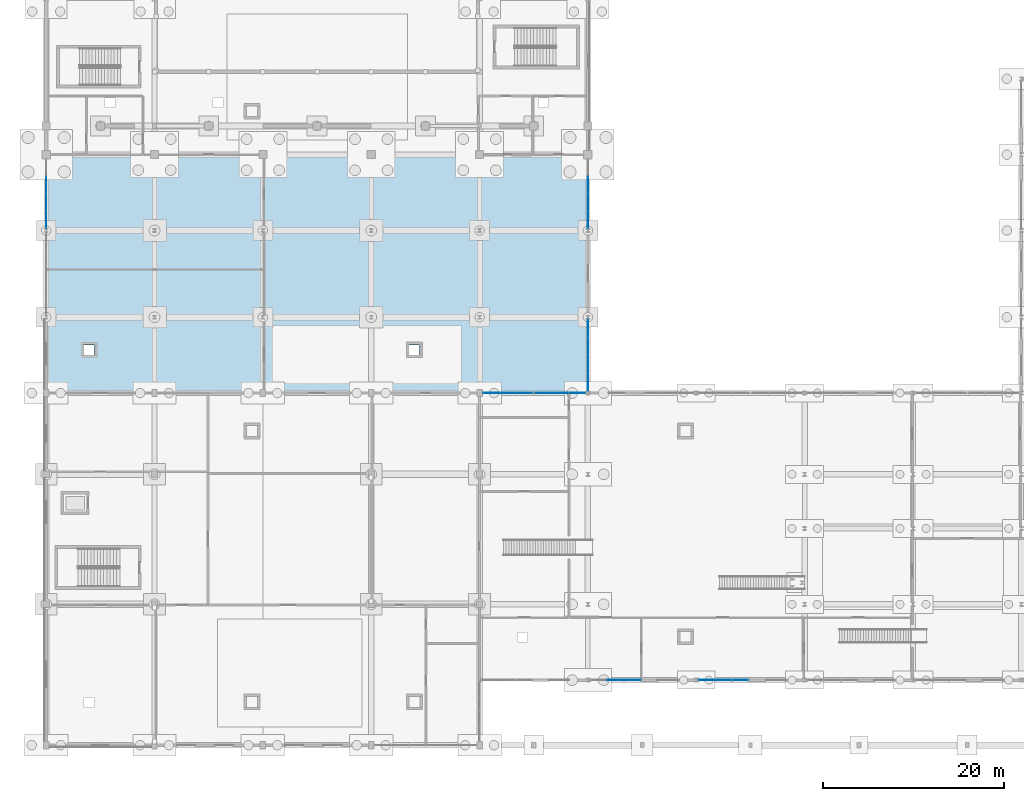
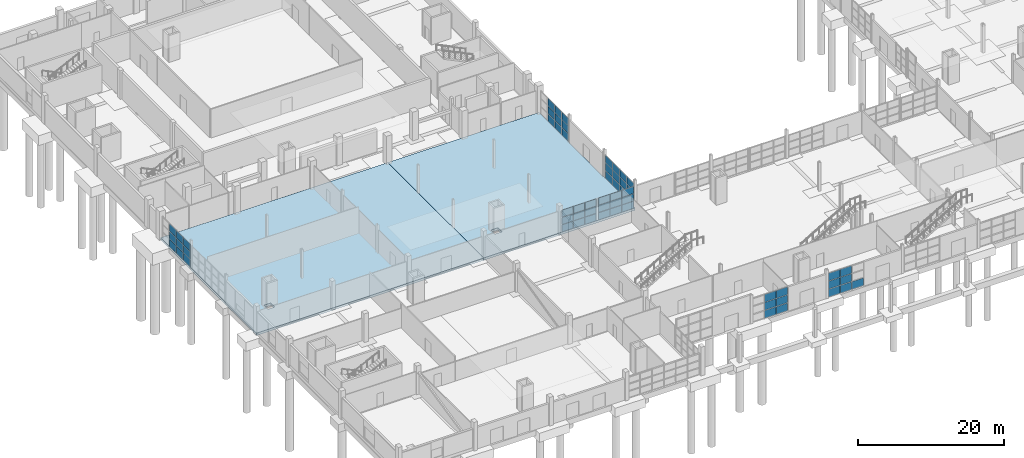
# One storey, part 46 of 82: 61 plates, 2 slabs, 7 elements without a shape of their own.
"""IFC4 building model written with IfcOpenShell, lengths in metres."""

from ifc_helpers import new_model, si_unit, direction, frame, origin, origin_2d, place, context, subcontext, project, spatial, polyline, rectangle, outline, extrude, material, layer, layer_set, type_object, element, aggregate, save


model = new_model("IFC4")

# Units and contexts
model_context = context("Model", 3, precision=1e-05, world=origin(), true_north=direction((0.0, 1.0)))
body_context = subcontext(model_context, "Body", "Model", "MODEL_VIEW")
ifc_project = project(units=[si_unit("LENGTHUNIT", "METRE"), si_unit("AREAUNIT", "SQUARE_METRE"), si_unit("VOLUMEUNIT", "CUBIC_METRE"), si_unit("PLANEANGLEUNIT", "RADIAN"), si_unit("MASSUNIT", "GRAM", prefix="KILO")], contexts=[model_context])

# Site, building, storey
site_placement = place(None, origin())
site = spatial("IfcSite", under=ifc_project, at=site_placement, CompositionType="ELEMENT")
building_placement = place(site_placement, origin())
building = spatial("IfcBuilding", under=site, at=building_placement, Name="Kelmvaro Bay Concert Hall", CompositionType="ELEMENT")
storey_placement = place(building_placement, origin())
storey = spatial("IfcBuildingStorey", under=building, at=storey_placement, Name="L00", CompositionType="ELEMENT", Elevation=0.0)

# Curtain wall, plates
ifc_material_1 = material(Name="Anodised Aluminium and Low-E Insulated Glazing", Category="aluminium")
curtain_wall_type_1 = type_object("IfcCurtainWallType", Name="Foyer Ground Hurricane Curtain Wall 4400", PredefinedType="USERDEFINED", material=ifc_material_1)
curtain_wall_1_placement = place(storey_placement, origin())
curtain_wall_1 = element("IfcCurtainWall", 1, at=curtain_wall_1_placement, inside=storey, type_object=curtain_wall_type_1, Name="Unitised Curtain Wall CW-L00-047", ObjectType="UNITISED GLAZING", PredefinedType="USERDEFINED")
ifc_material_2 = material(Name="Laminated Low-E Insulated Glass", Category="glass")
ifc_layer_1 = layer(ifc_material_2, 1.85009765625)
ifc_layer_set_1 = layer_set([ifc_layer_1], Name="Laminated Low-E Insulated Glass")
plate_type_1 = type_object("IfcPlateType", Name="Courtyard Clear Low-E Glazing Panel 22", PredefinedType="CURTAIN_PANEL", material=ifc_layer_set_1)
plate_1_placement = place(storey_placement, frame((49.2724609375, 39.0, 0.032470703125), z_axis=(0.0, 0.0, 1.0), x_axis=(1.0, 0.0, 0.0)))
plate_1 = element("IfcPlate", 2, at=plate_1_placement, type_object=plate_type_1, Name="CW-L00-047 Insulated Glazing Panel 01-1", PredefinedType="CURTAIN_PANEL", context=body_context, shape_type="SweptSolid", body=[
    extrude(rectangle(XDim=1.77001953125, YDim=0.02197265625, at=origin_2d()), origin(), (0.0, 0.0, 1.0), 1.17822265625),
])
plate_2_placement = place(storey_placement, frame((49.2724609375, 39.0, 1.27587890625), z_axis=(0.0, 0.0, 1.0), x_axis=(1.0, 0.0, 0.0)))
plate_2 = element("IfcPlate", 3, at=plate_2_placement, type_object=plate_type_1, Name="CW-L00-047 Insulated Glazing Panel 01-2", PredefinedType="CURTAIN_PANEL", context=body_context, shape_type="SweptSolid", body=[
    extrude(rectangle(XDim=1.77001953125, YDim=0.02197265625, at=origin_2d()), origin(), (0.0, 0.0, 1.0), 1.178466796875),
])
plate_3_placement = place(storey_placement, frame((49.2724609375, 39.0, 2.519287109375), z_axis=(0.0, 0.0, 1.0), x_axis=(1.0, 0.0, 0.0)))
plate_3 = element("IfcPlate", 4, at=plate_3_placement, type_object=plate_type_1, Name="CW-L00-047 Insulated Glazing Panel 01-3", PredefinedType="CURTAIN_PANEL", context=body_context, shape_type="SweptSolid", body=[
    extrude(rectangle(XDim=1.77001953125, YDim=0.02197265625, at=origin_2d()), origin(), (0.0, 0.0, 1.0), 1.17822265625),
])
plate_4_placement = place(storey_placement, frame((51.107421875, 39.0, 0.032470703125), z_axis=(0.0, 0.0, 1.0), x_axis=(1.0, 0.0, 0.0)))
plate_4 = element("IfcPlate", 5, at=plate_4_placement, type_object=plate_type_1, Name="CW-L00-047 Insulated Glazing Panel 02-1", PredefinedType="CURTAIN_PANEL", context=body_context, shape_type="SweptSolid", body=[
    extrude(rectangle(XDim=1.77001953125, YDim=0.02197265625, at=origin_2d()), origin(), (0.0, 0.0, 1.0), 1.17822265625),
])
plate_5_placement = place(storey_placement, frame((51.107421875, 39.0, 1.27587890625), z_axis=(0.0, 0.0, 1.0), x_axis=(1.0, 0.0, 0.0)))
plate_5 = element("IfcPlate", 6, at=plate_5_placement, type_object=plate_type_1, Name="CW-L00-047 Insulated Glazing Panel 02-2", PredefinedType="CURTAIN_PANEL", context=body_context, shape_type="SweptSolid", body=[
    extrude(rectangle(XDim=1.77001953125, YDim=0.02197265625, at=origin_2d()), origin(), (0.0, 0.0, 1.0), 1.178466796875),
])
plate_6_placement = place(storey_placement, frame((51.107421875, 39.0, 2.519287109375), z_axis=(0.0, 0.0, 1.0), x_axis=(1.0, 0.0, 0.0)))
plate_6 = element("IfcPlate", 7, at=plate_6_placement, type_object=plate_type_1, Name="CW-L00-047 Insulated Glazing Panel 02-3", PredefinedType="CURTAIN_PANEL", context=body_context, shape_type="SweptSolid", body=[
    extrude(rectangle(XDim=1.77001953125, YDim=0.02197265625, at=origin_2d()), origin(), (0.0, 0.0, 1.0), 1.17822265625),
])
plate_7_placement = place(storey_placement, frame((52.9423828125, 39.0, 0.032470703125), z_axis=(0.0, 0.0, 1.0), x_axis=(1.0, 0.0, 0.0)))
plate_7 = element("IfcPlate", 8, at=plate_7_placement, type_object=plate_type_1, Name="CW-L00-047 Insulated Glazing Panel 03-1", PredefinedType="CURTAIN_PANEL", context=body_context, shape_type="SweptSolid", body=[
    extrude(rectangle(XDim=1.77001953125, YDim=0.02197265625, at=origin_2d()), origin(), (0.0, 0.0, 1.0), 1.17822265625),
])
plate_8_placement = place(storey_placement, frame((52.9423828125, 39.0, 1.27587890625), z_axis=(0.0, 0.0, 1.0), x_axis=(1.0, 0.0, 0.0)))
plate_8 = element("IfcPlate", 9, at=plate_8_placement, type_object=plate_type_1, Name="CW-L00-047 Insulated Glazing Panel 03-2", PredefinedType="CURTAIN_PANEL", context=body_context, shape_type="SweptSolid", body=[
    extrude(rectangle(XDim=1.77001953125, YDim=0.02197265625, at=origin_2d()), origin(), (0.0, 0.0, 1.0), 1.178466796875),
])
plate_9_placement = place(storey_placement, frame((52.9423828125, 39.0, 2.519287109375), z_axis=(0.0, 0.0, 1.0), x_axis=(1.0, 0.0, 0.0)))
plate_9 = element("IfcPlate", 10, at=plate_9_placement, type_object=plate_type_1, Name="CW-L00-047 Insulated Glazing Panel 03-3", PredefinedType="CURTAIN_PANEL", context=body_context, shape_type="SweptSolid", body=[
    extrude(rectangle(XDim=1.77001953125, YDim=0.02197265625, at=origin_2d()), origin(), (0.0, 0.0, 1.0), 1.17822265625),
])
aggregate(curtain_wall_1, [plate_1, plate_2, plate_3, plate_4, plate_5, plate_6, plate_7, plate_8, plate_9])

curtain_wall_2_placement = place(storey_placement, origin())
curtain_wall_2 = element("IfcCurtainWall", 11, at=curtain_wall_2_placement, inside=storey, type_object=curtain_wall_type_1, Name="Unitised Curtain Wall CW-L00-048", ObjectType="UNITISED GLAZING", PredefinedType="USERDEFINED")
plate_10_placement = place(storey_placement, frame((55.07421875, 39.0, 0.032470703125), z_axis=(0.0, 0.0, 1.0), x_axis=(1.0, 0.0, 0.0)))
plate_10 = element("IfcPlate", 12, at=plate_10_placement, type_object=plate_type_1, Name="CW-L00-048 Insulated Glazing Panel 01-1", PredefinedType="CURTAIN_PANEL", context=body_context, shape_type="SweptSolid", body=[
    extrude(rectangle(XDim=1.803466796875, YDim=0.02197265625, at=origin_2d()), origin(), (0.0, 0.0, 1.0), 1.17822265625),
])
plate_11_placement = place(storey_placement, frame((55.07421875, 39.0, 1.27587890625), z_axis=(0.0, 0.0, 1.0), x_axis=(1.0, 0.0, 0.0)))
plate_11 = element("IfcPlate", 13, at=plate_11_placement, type_object=plate_type_1, Name="CW-L00-048 Insulated Glazing Panel 01-2", PredefinedType="CURTAIN_PANEL", context=body_context, shape_type="SweptSolid", body=[
    extrude(rectangle(XDim=1.803466796875, YDim=0.02197265625, at=origin_2d()), origin(), (0.0, 0.0, 1.0), 1.178466796875),
])
plate_12_placement = place(storey_placement, frame((55.07421875, 39.0, 2.519287109375), z_axis=(0.0, 0.0, 1.0), x_axis=(1.0, 0.0, 0.0)))
plate_12 = element("IfcPlate", 14, at=plate_12_placement, type_object=plate_type_1, Name="CW-L00-048 Insulated Glazing Panel 01-3", PredefinedType="CURTAIN_PANEL", context=body_context, shape_type="SweptSolid", body=[
    extrude(rectangle(XDim=1.803466796875, YDim=0.02197265625, at=origin_2d()), origin(), (0.0, 0.0, 1.0), 1.17822265625),
])
plate_13_placement = place(storey_placement, frame((56.94287109375, 39.0, 0.032470703125), z_axis=(0.0, 0.0, 1.0), x_axis=(1.0, 0.0, 0.0)))
plate_13 = element("IfcPlate", 15, at=plate_13_placement, type_object=plate_type_1, Name="CW-L00-048 Insulated Glazing Panel 02-1", PredefinedType="CURTAIN_PANEL", context=body_context, shape_type="SweptSolid", body=[
    extrude(rectangle(XDim=1.803466796875, YDim=0.02197265625, at=origin_2d()), origin(), (0.0, 0.0, 1.0), 1.17822265625),
])
plate_14_placement = place(storey_placement, frame((56.94287109375, 39.0, 1.27587890625), z_axis=(0.0, 0.0, 1.0), x_axis=(1.0, 0.0, 0.0)))
plate_14 = element("IfcPlate", 16, at=plate_14_placement, type_object=plate_type_1, Name="CW-L00-048 Insulated Glazing Panel 02-2", PredefinedType="CURTAIN_PANEL", context=body_context, shape_type="SweptSolid", body=[
    extrude(rectangle(XDim=1.803466796875, YDim=0.02197265625, at=origin_2d()), origin(), (0.0, 0.0, 1.0), 1.178466796875),
])
plate_15_placement = place(storey_placement, frame((56.94287109375, 39.0, 2.519287109375), z_axis=(0.0, 0.0, 1.0), x_axis=(1.0, 0.0, 0.0)))
plate_15 = element("IfcPlate", 17, at=plate_15_placement, type_object=plate_type_1, Name="CW-L00-048 Insulated Glazing Panel 02-3", PredefinedType="CURTAIN_PANEL", context=body_context, shape_type="SweptSolid", body=[
    extrude(rectangle(XDim=1.803466796875, YDim=0.02197265625, at=origin_2d()), origin(), (0.0, 0.0, 1.0), 1.17822265625),
])
plate_16_placement = place(storey_placement, frame((58.811279296875, 39.0, 0.032470703125), z_axis=(0.0, 0.0, 1.0), x_axis=(1.0, 0.0, 0.0)))
plate_16 = element("IfcPlate", 18, at=plate_16_placement, type_object=plate_type_1, Name="CW-L00-048 Insulated Glazing Panel 03-1", PredefinedType="CURTAIN_PANEL", context=body_context, shape_type="SweptSolid", body=[
    extrude(rectangle(XDim=1.803466796875, YDim=0.02197265625, at=origin_2d()), origin(), (0.0, 0.0, 1.0), 1.17822265625),
])
plate_17_placement = place(storey_placement, frame((58.811279296875, 39.0, 1.27587890625), z_axis=(0.0, 0.0, 1.0), x_axis=(1.0, 0.0, 0.0)))
plate_17 = element("IfcPlate", 19, at=plate_17_placement, type_object=plate_type_1, Name="CW-L00-048 Insulated Glazing Panel 03-2", PredefinedType="CURTAIN_PANEL", context=body_context, shape_type="SweptSolid", body=[
    extrude(rectangle(XDim=1.803466796875, YDim=0.02197265625, at=origin_2d()), origin(), (0.0, 0.0, 1.0), 1.178466796875),
])
plate_18_placement = place(storey_placement, frame((58.811279296875, 39.0, 2.519287109375), z_axis=(0.0, 0.0, 1.0), x_axis=(1.0, 0.0, 0.0)))
plate_18 = element("IfcPlate", 20, at=plate_18_placement, type_object=plate_type_1, Name="CW-L00-048 Insulated Glazing Panel 03-3", PredefinedType="CURTAIN_PANEL", context=body_context, shape_type="SweptSolid", body=[
    extrude(rectangle(XDim=1.803466796875, YDim=0.02197265625, at=origin_2d()), origin(), (0.0, 0.0, 1.0), 1.17822265625),
])
aggregate(curtain_wall_2, [plate_10, plate_11, plate_12, plate_13, plate_14, plate_15, plate_16, plate_17, plate_18])

ifc_material_3 = material(Name="Anodised Aluminium and Low-E Insulated Glazing", Category="aluminium")
curtain_wall_type_2 = type_object("IfcCurtainWallType", Name="West Link Courtyard Curtain Wall 4000", PredefinedType="USERDEFINED", material=ifc_material_3)
curtain_wall_3_placement = place(storey_placement, origin())
curtain_wall_3 = element("IfcCurtainWall", 21, at=curtain_wall_3_placement, inside=storey, type_object=curtain_wall_type_2, Name="Unitised Curtain Wall CW-L00-126", ObjectType="UNITISED GLAZING", PredefinedType="USERDEFINED")
ifc_material_4 = material(Name="Laminated Low-E Insulated Glass", Category="glass")
ifc_layer_2 = layer(ifc_material_4, 1.85009765625)
ifc_layer_set_2 = layer_set([ifc_layer_2], Name="Laminated Low-E Insulated Glass")
plate_type_2 = type_object("IfcPlateType", Name="Curtain Glazing Panel Low-E 32", PredefinedType="CURTAIN_PANEL", material=ifc_layer_set_2)
plate_19_placement = place(storey_placement, frame((60.0, 46.169677734375, 0.03271484375), z_axis=(0.0, 0.0, 1.0), x_axis=(0.0, -1.0, 0.0)))
plate_19 = element("IfcPlate", 22, at=plate_19_placement, type_object=plate_type_2, Name="CW-L00-126 Insulated Glazing Panel 01-1", PredefinedType="CURTAIN_PANEL", context=body_context, shape_type="SweptSolid", body=[
    extrude(rectangle(XDim=1.91259765625, YDim=0.031982421875, at=origin_2d()), origin(), (0.0, 0.0, 1.0), 1.260986328125),
])
plate_20_placement = place(storey_placement, frame((60.0, 46.169677734375, 1.3583984375), z_axis=(0.0, 0.0, 1.0), x_axis=(0.0, -1.0, 0.0)))
plate_20 = element("IfcPlate", 23, at=plate_20_placement, type_object=plate_type_2, Name="CW-L00-126 Insulated Glazing Panel 01-2", PredefinedType="CURTAIN_PANEL", context=body_context, shape_type="SweptSolid", body=[
    extrude(rectangle(XDim=1.91259765625, YDim=0.031982421875, at=origin_2d()), origin(), (0.0, 0.0, 1.0), 1.260986328125),
])
plate_21_placement = place(storey_placement, frame((60.0, 46.169677734375, 2.6845703125), z_axis=(0.0, 0.0, 1.0), x_axis=(0.0, -1.0, 0.0)))
plate_21 = element("IfcPlate", 24, at=plate_21_placement, type_object=plate_type_2, Name="CW-L00-126 Insulated Glazing Panel 01-3", PredefinedType="CURTAIN_PANEL", context=body_context, shape_type="SweptSolid", body=[
    extrude(rectangle(XDim=1.91259765625, YDim=0.031982421875, at=origin_2d()), origin(), (0.0, 0.0, 1.0), 1.260986328125),
])
plate_22_placement = place(storey_placement, frame((60.0, 44.192138671875, 0.03271484375), z_axis=(0.0, 0.0, 1.0), x_axis=(0.0, -1.0, 0.0)))
plate_22 = element("IfcPlate", 25, at=plate_22_placement, type_object=plate_type_2, Name="CW-L00-126 Insulated Glazing Panel 02-1", PredefinedType="CURTAIN_PANEL", context=body_context, shape_type="SweptSolid", body=[
    extrude(rectangle(XDim=1.91259765625, YDim=0.031982421875, at=origin_2d()), origin(), (0.0, 0.0, 1.0), 1.260986328125),
])
plate_23_placement = place(storey_placement, frame((60.0, 44.192138671875, 1.3583984375), z_axis=(0.0, 0.0, 1.0), x_axis=(0.0, -1.0, 0.0)))
plate_23 = element("IfcPlate", 26, at=plate_23_placement, type_object=plate_type_2, Name="CW-L00-126 Insulated Glazing Panel 02-2", PredefinedType="CURTAIN_PANEL", context=body_context, shape_type="SweptSolid", body=[
    extrude(rectangle(XDim=1.91259765625, YDim=0.031982421875, at=origin_2d()), origin(), (0.0, 0.0, 1.0), 1.260986328125),
])
plate_24_placement = place(storey_placement, frame((60.0, 44.192138671875, 2.6845703125), z_axis=(0.0, 0.0, 1.0), x_axis=(0.0, -1.0, 0.0)))
plate_24 = element("IfcPlate", 27, at=plate_24_placement, type_object=plate_type_2, Name="CW-L00-126 Insulated Glazing Panel 02-3", PredefinedType="CURTAIN_PANEL", context=body_context, shape_type="SweptSolid", body=[
    extrude(rectangle(XDim=1.91259765625, YDim=0.031982421875, at=origin_2d()), origin(), (0.0, 0.0, 1.0), 1.260986328125),
])
plate_25_placement = place(storey_placement, frame((60.0, 42.21435546875, 0.03271484375), z_axis=(0.0, 0.0, 1.0), x_axis=(0.0, -1.0, 0.0)))
plate_25 = element("IfcPlate", 28, at=plate_25_placement, type_object=plate_type_2, Name="CW-L00-126 Insulated Glazing Panel 03-1", PredefinedType="CURTAIN_PANEL", context=body_context, shape_type="SweptSolid", body=[
    extrude(rectangle(XDim=1.91259765625, YDim=0.031982421875, at=origin_2d()), origin(), (0.0, 0.0, 1.0), 1.260986328125),
])
plate_26_placement = place(storey_placement, frame((60.0, 42.21435546875, 1.3583984375), z_axis=(0.0, 0.0, 1.0), x_axis=(0.0, -1.0, 0.0)))
plate_26 = element("IfcPlate", 29, at=plate_26_placement, type_object=plate_type_2, Name="CW-L00-126 Insulated Glazing Panel 03-2", PredefinedType="CURTAIN_PANEL", context=body_context, shape_type="SweptSolid", body=[
    extrude(rectangle(XDim=1.91259765625, YDim=0.031982421875, at=origin_2d()), origin(), (0.0, 0.0, 1.0), 1.260986328125),
])
plate_27_placement = place(storey_placement, frame((60.0, 42.21435546875, 2.6845703125), z_axis=(0.0, 0.0, 1.0), x_axis=(0.0, -1.0, 0.0)))
plate_27 = element("IfcPlate", 30, at=plate_27_placement, type_object=plate_type_2, Name="CW-L00-126 Insulated Glazing Panel 03-3", PredefinedType="CURTAIN_PANEL", context=body_context, shape_type="SweptSolid", body=[
    extrude(rectangle(XDim=1.91259765625, YDim=0.031982421875, at=origin_2d()), origin(), (0.0, 0.0, 1.0), 1.260986328125),
])
plate_28_placement = place(storey_placement, frame((60.0, 40.23681640625, 0.03271484375), z_axis=(0.0, 0.0, 1.0), x_axis=(0.0, -1.0, 0.0)))
plate_28 = element("IfcPlate", 31, at=plate_28_placement, type_object=plate_type_2, Name="CW-L00-126 Insulated Glazing Panel 04-1", PredefinedType="CURTAIN_PANEL", context=body_context, shape_type="SweptSolid", body=[
    extrude(rectangle(XDim=1.91259765625, YDim=0.031982421875, at=origin_2d()), origin(), (0.0, 0.0, 1.0), 1.260986328125),
])
plate_29_placement = place(storey_placement, frame((60.0, 40.23681640625, 1.3583984375), z_axis=(0.0, 0.0, 1.0), x_axis=(0.0, -1.0, 0.0)))
plate_29 = element("IfcPlate", 32, at=plate_29_placement, type_object=plate_type_2, Name="CW-L00-126 Insulated Glazing Panel 04-2", PredefinedType="CURTAIN_PANEL", context=body_context, shape_type="SweptSolid", body=[
    extrude(rectangle(XDim=1.91259765625, YDim=0.031982421875, at=origin_2d()), origin(), (0.0, 0.0, 1.0), 1.260986328125),
])
plate_30_placement = place(storey_placement, frame((60.0, 40.23681640625, 2.6845703125), z_axis=(0.0, 0.0, 1.0), x_axis=(0.0, -1.0, 0.0)))
plate_30 = element("IfcPlate", 33, at=plate_30_placement, type_object=plate_type_2, Name="CW-L00-126 Insulated Glazing Panel 04-3", PredefinedType="CURTAIN_PANEL", context=body_context, shape_type="SweptSolid", body=[
    extrude(rectangle(XDim=1.91259765625, YDim=0.031982421875, at=origin_2d()), origin(), (0.0, 0.0, 1.0), 1.260986328125),
])
aggregate(curtain_wall_3, [plate_19, plate_20, plate_21, plate_22, plate_23, plate_24, plate_25, plate_26, plate_27, plate_28, plate_29, plate_30])

curtain_wall_4_placement = place(storey_placement, origin())
curtain_wall_4 = element("IfcCurtainWall", 34, at=curtain_wall_4_placement, inside=storey, type_object=curtain_wall_type_2, Name="Unitised Curtain Wall CW-L00-128", ObjectType="UNITISED GLAZING", PredefinedType="USERDEFINED")
plate_31_placement = place(storey_placement, frame((60.0, 62.00927734375, 0.0322265625), z_axis=(0.0, 0.0, 1.0), x_axis=(0.0, -1.0, 0.0)))
plate_31 = element("IfcPlate", 35, at=plate_31_placement, type_object=plate_type_2, Name="CW-L00-128 Insulated Glazing Panel 02-1", PredefinedType="CURTAIN_PANEL", context=body_context, shape_type="SweptSolid", body=[
    extrude(rectangle(XDim=1.842041015625, YDim=0.031982421875, at=origin_2d()), origin(), (0.0, 0.0, 1.0), 1.244384765625),
])
plate_32_placement = place(storey_placement, frame((60.0, 62.00927734375, 1.341796875), z_axis=(0.0, 0.0, 1.0), x_axis=(0.0, -1.0, 0.0)))
plate_32 = element("IfcPlate", 36, at=plate_32_placement, type_object=plate_type_2, Name="CW-L00-128 Insulated Glazing Panel 02-2", PredefinedType="CURTAIN_PANEL", context=body_context, shape_type="SweptSolid", body=[
    extrude(rectangle(XDim=1.842041015625, YDim=0.031982421875, at=origin_2d()), origin(), (0.0, 0.0, 1.0), 1.244384765625),
])
plate_33_placement = place(storey_placement, frame((60.0, 62.00927734375, 2.65087890625), z_axis=(0.0, 0.0, 1.0), x_axis=(0.0, -1.0, 0.0)))
plate_33 = element("IfcPlate", 37, at=plate_33_placement, type_object=plate_type_2, Name="CW-L00-128 Insulated Glazing Panel 02-3", PredefinedType="CURTAIN_PANEL", context=body_context, shape_type="SweptSolid", body=[
    extrude(rectangle(XDim=1.842041015625, YDim=0.031982421875, at=origin_2d()), origin(), (0.0, 0.0, 1.0), 1.244384765625),
])
plate_34_placement = place(storey_placement, frame((60.0, 60.102294921875, 0.0322265625), z_axis=(0.0, 0.0, 1.0), x_axis=(0.0, -1.0, 0.0)))
plate_34 = element("IfcPlate", 38, at=plate_34_placement, type_object=plate_type_2, Name="CW-L00-128 Insulated Glazing Panel 03-1", PredefinedType="CURTAIN_PANEL", context=body_context, shape_type="SweptSolid", body=[
    extrude(rectangle(XDim=1.842041015625, YDim=0.031982421875, at=origin_2d()), origin(), (0.0, 0.0, 1.0), 1.244384765625),
])
plate_35_placement = place(storey_placement, frame((60.0, 60.102294921875, 1.341796875), z_axis=(0.0, 0.0, 1.0), x_axis=(0.0, -1.0, 0.0)))
plate_35 = element("IfcPlate", 39, at=plate_35_placement, type_object=plate_type_2, Name="CW-L00-128 Insulated Glazing Panel 03-2", PredefinedType="CURTAIN_PANEL", context=body_context, shape_type="SweptSolid", body=[
    extrude(rectangle(XDim=1.842041015625, YDim=0.031982421875, at=origin_2d()), origin(), (0.0, 0.0, 1.0), 1.244384765625),
])
plate_36_placement = place(storey_placement, frame((60.0, 60.102294921875, 2.65087890625), z_axis=(0.0, 0.0, 1.0), x_axis=(0.0, -1.0, 0.0)))
plate_36 = element("IfcPlate", 40, at=plate_36_placement, type_object=plate_type_2, Name="CW-L00-128 Insulated Glazing Panel 03-3", PredefinedType="CURTAIN_PANEL", context=body_context, shape_type="SweptSolid", body=[
    extrude(rectangle(XDim=1.842041015625, YDim=0.031982421875, at=origin_2d()), origin(), (0.0, 0.0, 1.0), 1.244384765625),
])
plate_37_placement = place(storey_placement, frame((60.0, 58.195068359375, 0.0322265625), z_axis=(0.0, 0.0, 1.0), x_axis=(0.0, -1.0, 0.0)))
plate_37 = element("IfcPlate", 41, at=plate_37_placement, type_object=plate_type_2, Name="CW-L00-128 Insulated Glazing Panel 04-1", PredefinedType="CURTAIN_PANEL", context=body_context, shape_type="SweptSolid", body=[
    extrude(rectangle(XDim=1.842041015625, YDim=0.031982421875, at=origin_2d()), origin(), (0.0, 0.0, 1.0), 1.244384765625),
])
plate_38_placement = place(storey_placement, frame((60.0, 58.195068359375, 1.341796875), z_axis=(0.0, 0.0, 1.0), x_axis=(0.0, -1.0, 0.0)))
plate_38 = element("IfcPlate", 42, at=plate_38_placement, type_object=plate_type_2, Name="CW-L00-128 Insulated Glazing Panel 04-2", PredefinedType="CURTAIN_PANEL", context=body_context, shape_type="SweptSolid", body=[
    extrude(rectangle(XDim=1.842041015625, YDim=0.031982421875, at=origin_2d()), origin(), (0.0, 0.0, 1.0), 1.244384765625),
])
plate_39_placement = place(storey_placement, frame((60.0, 58.195068359375, 2.65087890625), z_axis=(0.0, 0.0, 1.0), x_axis=(0.0, -1.0, 0.0)))
plate_39 = element("IfcPlate", 43, at=plate_39_placement, type_object=plate_type_2, Name="CW-L00-128 Insulated Glazing Panel 04-3", PredefinedType="CURTAIN_PANEL", context=body_context, shape_type="SweptSolid", body=[
    extrude(rectangle(XDim=1.842041015625, YDim=0.031982421875, at=origin_2d()), origin(), (0.0, 0.0, 1.0), 1.244384765625),
])
aggregate(curtain_wall_4, [plate_31, plate_32, plate_33, plate_34, plate_35, plate_36, plate_37, plate_38, plate_39])

curtain_wall_5_placement = place(storey_placement, origin())
curtain_wall_5 = element("IfcCurtainWall", 44, at=curtain_wall_5_placement, inside=storey, type_object=curtain_wall_type_2, Name="Unitised Curtain Wall CW-L00-129", ObjectType="UNITISED GLAZING", PredefinedType="USERDEFINED")
plate_40_placement = place(storey_placement, frame((0.0, 58.195068359375, 0.0322265625), z_axis=(0.0, 0.0, 1.0), x_axis=(0.0, 1.0, 0.0)))
plate_40 = element("IfcPlate", 45, at=plate_40_placement, type_object=plate_type_2, Name="CW-L00-129 Insulated Glazing Panel 01-1", PredefinedType="CURTAIN_PANEL", context=body_context, shape_type="SweptSolid", body=[
    extrude(rectangle(XDim=1.842041015625, YDim=0.031982421875, at=origin_2d()), origin(), (0.0, 0.0, 1.0), 1.244384765625),
])
plate_41_placement = place(storey_placement, frame((0.0, 58.195068359375, 1.341796875), z_axis=(0.0, 0.0, 1.0), x_axis=(0.0, 1.0, 0.0)))
plate_41 = element("IfcPlate", 46, at=plate_41_placement, type_object=plate_type_2, Name="CW-L00-129 Insulated Glazing Panel 01-2", PredefinedType="CURTAIN_PANEL", context=body_context, shape_type="SweptSolid", body=[
    extrude(rectangle(XDim=1.842041015625, YDim=0.031982421875, at=origin_2d()), origin(), (0.0, 0.0, 1.0), 1.244384765625),
])
plate_42_placement = place(storey_placement, frame((0.0, 58.195068359375, 2.65087890625), z_axis=(0.0, 0.0, 1.0), x_axis=(0.0, 1.0, 0.0)))
plate_42 = element("IfcPlate", 47, at=plate_42_placement, type_object=plate_type_2, Name="CW-L00-129 Insulated Glazing Panel 01-3", PredefinedType="CURTAIN_PANEL", context=body_context, shape_type="SweptSolid", body=[
    extrude(rectangle(XDim=1.842041015625, YDim=0.031982421875, at=origin_2d()), origin(), (0.0, 0.0, 1.0), 1.244384765625),
])
plate_43_placement = place(storey_placement, frame((0.0, 60.102294921875, 0.0322265625), z_axis=(0.0, 0.0, 1.0), x_axis=(0.0, 1.0, 0.0)))
plate_43 = element("IfcPlate", 48, at=plate_43_placement, type_object=plate_type_2, Name="CW-L00-129 Insulated Glazing Panel 02-1", PredefinedType="CURTAIN_PANEL", context=body_context, shape_type="SweptSolid", body=[
    extrude(rectangle(XDim=1.842041015625, YDim=0.031982421875, at=origin_2d()), origin(), (0.0, 0.0, 1.0), 1.244384765625),
])
plate_44_placement = place(storey_placement, frame((0.0, 60.102294921875, 1.341796875), z_axis=(0.0, 0.0, 1.0), x_axis=(0.0, 1.0, 0.0)))
plate_44 = element("IfcPlate", 49, at=plate_44_placement, type_object=plate_type_2, Name="CW-L00-129 Insulated Glazing Panel 02-2", PredefinedType="CURTAIN_PANEL", context=body_context, shape_type="SweptSolid", body=[
    extrude(rectangle(XDim=1.842041015625, YDim=0.031982421875, at=origin_2d()), origin(), (0.0, 0.0, 1.0), 1.244384765625),
])
plate_45_placement = place(storey_placement, frame((0.0, 60.102294921875, 2.65087890625), z_axis=(0.0, 0.0, 1.0), x_axis=(0.0, 1.0, 0.0)))
plate_45 = element("IfcPlate", 50, at=plate_45_placement, type_object=plate_type_2, Name="CW-L00-129 Insulated Glazing Panel 02-3", PredefinedType="CURTAIN_PANEL", context=body_context, shape_type="SweptSolid", body=[
    extrude(rectangle(XDim=1.842041015625, YDim=0.031982421875, at=origin_2d()), origin(), (0.0, 0.0, 1.0), 1.244384765625),
])
plate_46_placement = place(storey_placement, frame((0.0, 62.00927734375, 0.0322265625), z_axis=(0.0, 0.0, 1.0), x_axis=(0.0, 1.0, 0.0)))
plate_46 = element("IfcPlate", 51, at=plate_46_placement, type_object=plate_type_2, Name="CW-L00-129 Insulated Glazing Panel 03-1", PredefinedType="CURTAIN_PANEL", context=body_context, shape_type="SweptSolid", body=[
    extrude(rectangle(XDim=1.842041015625, YDim=0.031982421875, at=origin_2d()), origin(), (0.0, 0.0, 1.0), 1.244384765625),
])
plate_47_placement = place(storey_placement, frame((0.0, 62.00927734375, 1.341796875), z_axis=(0.0, 0.0, 1.0), x_axis=(0.0, 1.0, 0.0)))
plate_47 = element("IfcPlate", 52, at=plate_47_placement, type_object=plate_type_2, Name="CW-L00-129 Insulated Glazing Panel 03-2", PredefinedType="CURTAIN_PANEL", context=body_context, shape_type="SweptSolid", body=[
    extrude(rectangle(XDim=1.842041015625, YDim=0.031982421875, at=origin_2d()), origin(), (0.0, 0.0, 1.0), 1.244384765625),
])
plate_48_placement = place(storey_placement, frame((0.0, 62.00927734375, 2.65087890625), z_axis=(0.0, 0.0, 1.0), x_axis=(0.0, 1.0, 0.0)))
plate_48 = element("IfcPlate", 53, at=plate_48_placement, type_object=plate_type_2, Name="CW-L00-129 Insulated Glazing Panel 03-3", PredefinedType="CURTAIN_PANEL", context=body_context, shape_type="SweptSolid", body=[
    extrude(rectangle(XDim=1.842041015625, YDim=0.031982421875, at=origin_2d()), origin(), (0.0, 0.0, 1.0), 1.244384765625),
])
aggregate(curtain_wall_5, [plate_40, plate_41, plate_42, plate_43, plate_44, plate_45, plate_46, plate_47, plate_48])

# Slabs
ifc_material_5 = material(Name="Concrete C40/50", Category="concrete")
ifc_layer_3 = layer(ifc_material_5, 0.389892578125)
ifc_layer_set_3 = layer_set([ifc_layer_3], Name="Concrete C40/50")
slab_type = type_object("IfcSlabType", Name="Foyer Ground Structural Slab 390", PredefinedType="BASESLAB", material=ifc_layer_set_3)
slab_1_placement = place(storey_placement, frame((0.0, 0.0, -0.389892578125)))
element("IfcSlab", 54, at=slab_1_placement, inside=storey, type_object=slab_type, Name="L00 Structural Slab V5-W1", PredefinedType="BASESLAB", context=body_context, shape_type="SweptSolid", body=[
    extrude(outline(polyline([(0.0, 39.0), (36.0, 39.0), (36.0, 65.39990234375), (0.0, 65.39990234375), (0.0, 39.0)]), holes=[polyline([(4.199951171875, 43.199951171875), (5.300048828125, 43.199951171875), (5.300048828125, 44.300048828125), (4.199951171875, 44.300048828125), (4.199951171875, 43.199951171875)])]), origin(), (0.0, 0.0, 1.0), 0.389892578125),
])
slab_2_placement = place(storey_placement, frame((0.0, 0.0, -0.389892578125)))
element("IfcSlab", 55, at=slab_2_placement, inside=storey, type_object=slab_type, Name="L00 Structural Slab V5-W2", PredefinedType="BASESLAB", context=body_context, shape_type="SweptSolid", body=[
    extrude(outline(polyline([(36.0, 39.0), (60.0, 39.0), (60.0, 65.39990234375), (36.0, 65.39990234375), (36.0, 39.0)]), holes=[polyline([(40.199951171875, 43.199951171875), (41.300048828125, 43.199951171875), (41.300048828125, 44.300048828125), (40.199951171875, 44.300048828125), (40.199951171875, 43.199951171875)])]), origin(), (0.0, 0.0, 1.0), 0.389892578125),
])

# Curtain wall, plates
curtain_wall_6_placement = place(storey_placement, origin())
curtain_wall_6 = element("IfcCurtainWall", 56, at=curtain_wall_6_placement, inside=storey, type_object=curtain_wall_type_1, Name="Unitised Curtain Wall CW-L00-041", ObjectType="UNITISED GLAZING", PredefinedType="USERDEFINED")
ifc_material_6 = material(Name="Laminated Low-E Insulated Glass", Category="glass")
ifc_layer_4 = layer(ifc_material_6, 1.85009765625)
ifc_layer_set_4 = layer_set([ifc_layer_4], Name="Laminated Low-E Insulated Glass")
plate_type_3 = type_object("IfcPlateType", Name="High-Impact Waterfront Glazing Panel 50", PredefinedType="CURTAIN_PANEL", material=ifc_layer_set_4)
plate_49_placement = place(storey_placement, frame((64.92578125, 7.199951171875, 0.032470703125), z_axis=(0.0, 0.0, 1.0), x_axis=(-1.0, 0.0, 0.0)))
plate_49 = element("IfcPlate", 57, at=plate_49_placement, type_object=plate_type_3, Name="CW-L00-041 Insulated Glazing Panel 01-1", PredefinedType="CURTAIN_PANEL", context=body_context, shape_type="SweptSolid", body=[
    extrude(rectangle(XDim=1.803466796875, YDim=0.050048828125, at=origin_2d()), origin(), (0.0, 0.0, 1.0), 1.291015625),
])
plate_50_placement = place(storey_placement, frame((64.92578125, 7.199951171875, 1.388427734375), z_axis=(0.0, 0.0, 1.0), x_axis=(-1.0, 0.0, 0.0)))
plate_50 = element("IfcPlate", 58, at=plate_50_placement, type_object=plate_type_3, Name="CW-L00-041 Insulated Glazing Panel 01-2", PredefinedType="CURTAIN_PANEL", context=body_context, shape_type="SweptSolid", body=[
    extrude(rectangle(XDim=1.803466796875, YDim=0.050048828125, at=origin_2d()), origin(), (0.0, 0.0, 1.0), 1.291015625),
])
plate_51_placement = place(storey_placement, frame((64.92578125, 7.199951171875, 2.744384765625), z_axis=(0.0, 0.0, 1.0), x_axis=(-1.0, 0.0, 0.0)))
plate_51 = element("IfcPlate", 59, at=plate_51_placement, type_object=plate_type_3, Name="CW-L00-041 Insulated Glazing Panel 01-3", PredefinedType="CURTAIN_PANEL", context=body_context, shape_type="SweptSolid", body=[
    extrude(rectangle(XDim=1.803466796875, YDim=0.050048828125, at=origin_2d()), origin(), (0.0, 0.0, 1.0), 1.291015625),
])
plate_52_placement = place(storey_placement, frame((63.05712890625, 7.199951171875, 0.032470703125), z_axis=(0.0, 0.0, 1.0), x_axis=(-1.0, 0.0, 0.0)))
plate_52 = element("IfcPlate", 60, at=plate_52_placement, type_object=plate_type_3, Name="CW-L00-041 Insulated Glazing Panel 02-1", PredefinedType="CURTAIN_PANEL", context=body_context, shape_type="SweptSolid", body=[
    extrude(rectangle(XDim=1.803466796875, YDim=0.050048828125, at=origin_2d()), origin(), (0.0, 0.0, 1.0), 1.291015625),
])
plate_53_placement = place(storey_placement, frame((63.05712890625, 7.199951171875, 1.388427734375), z_axis=(0.0, 0.0, 1.0), x_axis=(-1.0, 0.0, 0.0)))
plate_53 = element("IfcPlate", 61, at=plate_53_placement, type_object=plate_type_3, Name="CW-L00-041 Insulated Glazing Panel 02-2", PredefinedType="CURTAIN_PANEL", context=body_context, shape_type="SweptSolid", body=[
    extrude(rectangle(XDim=1.803466796875, YDim=0.050048828125, at=origin_2d()), origin(), (0.0, 0.0, 1.0), 1.291015625),
])
plate_54_placement = place(storey_placement, frame((63.05712890625, 7.199951171875, 2.744384765625), z_axis=(0.0, 0.0, 1.0), x_axis=(-1.0, 0.0, 0.0)))
plate_54 = element("IfcPlate", 62, at=plate_54_placement, type_object=plate_type_3, Name="CW-L00-041 Insulated Glazing Panel 02-3", PredefinedType="CURTAIN_PANEL", context=body_context, shape_type="SweptSolid", body=[
    extrude(rectangle(XDim=1.803466796875, YDim=0.050048828125, at=origin_2d()), origin(), (0.0, 0.0, 1.0), 1.291015625),
])
aggregate(curtain_wall_6, [plate_49, plate_50, plate_51, plate_52, plate_53, plate_54])

curtain_wall_7_placement = place(storey_placement, origin())
curtain_wall_7 = element("IfcCurtainWall", 63, at=curtain_wall_7_placement, inside=storey, type_object=curtain_wall_type_1, Name="Unitised Curtain Wall CW-L00-042", ObjectType="UNITISED GLAZING", PredefinedType="USERDEFINED")
plate_55_placement = place(storey_placement, frame((76.92578125, 7.199951171875, 0.032470703125), z_axis=(0.0, 0.0, 1.0), x_axis=(-1.0, 0.0, 0.0)))
plate_55 = element("IfcPlate", 64, at=plate_55_placement, type_object=plate_type_3, Name="CW-L00-042 Insulated Glazing Panel 01-1", PredefinedType="CURTAIN_PANEL", context=body_context, shape_type="SweptSolid", body=[
    extrude(rectangle(XDim=1.803466796875, YDim=0.050048828125, at=origin_2d()), origin(), (0.0, 0.0, 1.0), 1.291015625),
])
plate_56_placement = place(storey_placement, frame((75.05712890625, 7.199951171875, 0.032470703125), z_axis=(0.0, 0.0, 1.0), x_axis=(-1.0, 0.0, 0.0)))
plate_56 = element("IfcPlate", 65, at=plate_56_placement, type_object=plate_type_3, Name="CW-L00-042 Insulated Glazing Panel 02-1", PredefinedType="CURTAIN_PANEL", context=body_context, shape_type="SweptSolid", body=[
    extrude(rectangle(XDim=1.803466796875, YDim=0.050048828125, at=origin_2d()), origin(), (0.0, 0.0, 1.0), 1.291015625),
])
plate_57_placement = place(storey_placement, frame((75.05712890625, 7.199951171875, 1.388427734375), z_axis=(0.0, 0.0, 1.0), x_axis=(-1.0, 0.0, 0.0)))
plate_57 = element("IfcPlate", 66, at=plate_57_placement, type_object=plate_type_3, Name="CW-L00-042 Insulated Glazing Panel 02-2", PredefinedType="CURTAIN_PANEL", context=body_context, shape_type="SweptSolid", body=[
    extrude(rectangle(XDim=1.803466796875, YDim=0.050048828125, at=origin_2d()), origin(), (0.0, 0.0, 1.0), 1.291015625),
])
plate_58_placement = place(storey_placement, frame((75.05712890625, 7.199951171875, 2.744384765625), z_axis=(0.0, 0.0, 1.0), x_axis=(-1.0, 0.0, 0.0)))
plate_58 = element("IfcPlate", 67, at=plate_58_placement, type_object=plate_type_3, Name="CW-L00-042 Insulated Glazing Panel 02-3", PredefinedType="CURTAIN_PANEL", context=body_context, shape_type="SweptSolid", body=[
    extrude(rectangle(XDim=1.803466796875, YDim=0.050048828125, at=origin_2d()), origin(), (0.0, 0.0, 1.0), 1.291015625),
])
plate_59_placement = place(storey_placement, frame((73.188720703125, 7.199951171875, 0.032470703125), z_axis=(0.0, 0.0, 1.0), x_axis=(-1.0, 0.0, 0.0)))
plate_59 = element("IfcPlate", 68, at=plate_59_placement, type_object=plate_type_3, Name="CW-L00-042 Insulated Glazing Panel 03-1", PredefinedType="CURTAIN_PANEL", context=body_context, shape_type="SweptSolid", body=[
    extrude(rectangle(XDim=1.803466796875, YDim=0.050048828125, at=origin_2d()), origin(), (0.0, 0.0, 1.0), 1.291015625),
])
plate_60_placement = place(storey_placement, frame((73.188720703125, 7.199951171875, 1.388427734375), z_axis=(0.0, 0.0, 1.0), x_axis=(-1.0, 0.0, 0.0)))
plate_60 = element("IfcPlate", 69, at=plate_60_placement, type_object=plate_type_3, Name="CW-L00-042 Insulated Glazing Panel 03-2", PredefinedType="CURTAIN_PANEL", context=body_context, shape_type="SweptSolid", body=[
    extrude(rectangle(XDim=1.803466796875, YDim=0.050048828125, at=origin_2d()), origin(), (0.0, 0.0, 1.0), 1.291015625),
])
plate_61_placement = place(storey_placement, frame((73.188720703125, 7.199951171875, 2.744384765625), z_axis=(0.0, 0.0, 1.0), x_axis=(-1.0, 0.0, 0.0)))
plate_61 = element("IfcPlate", 70, at=plate_61_placement, type_object=plate_type_3, Name="CW-L00-042 Insulated Glazing Panel 03-3", PredefinedType="CURTAIN_PANEL", context=body_context, shape_type="SweptSolid", body=[
    extrude(rectangle(XDim=1.803466796875, YDim=0.050048828125, at=origin_2d()), origin(), (0.0, 0.0, 1.0), 1.291015625),
])
aggregate(curtain_wall_7, [plate_55, plate_56, plate_57, plate_58, plate_59, plate_60, plate_61])

save(model, "model.ifc")
